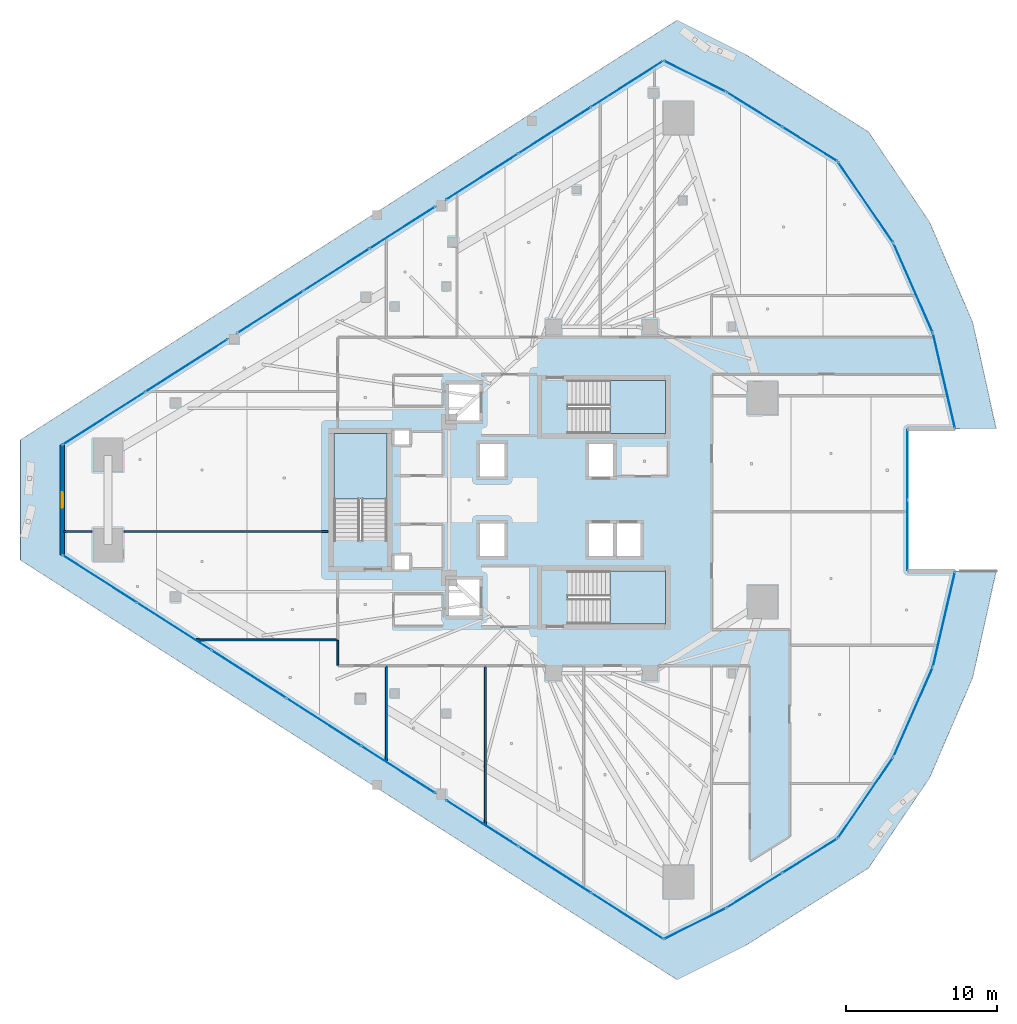
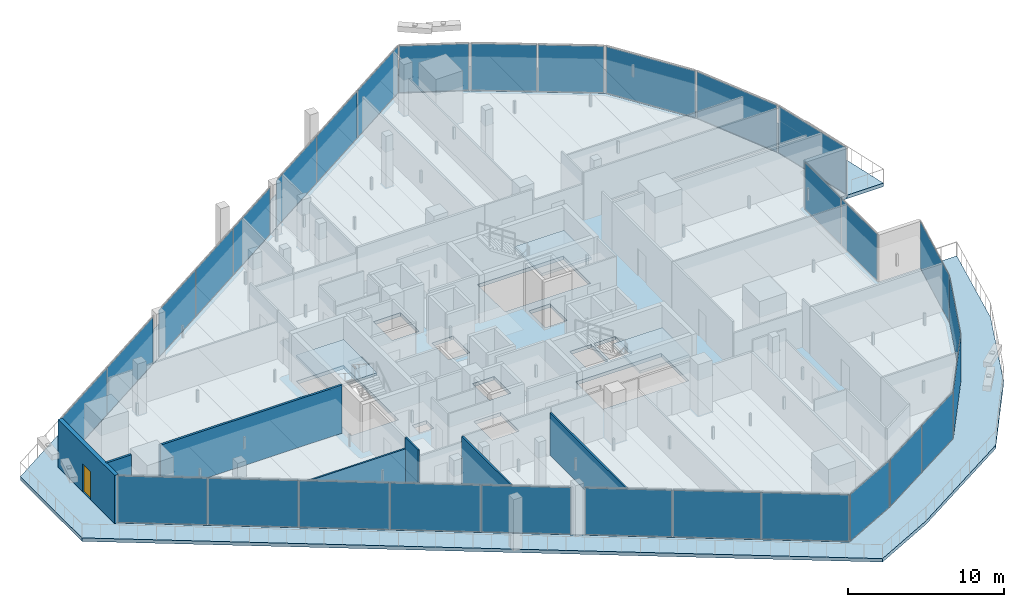
# One storey, part 22 of 35: 30 plates, 7 walls, 5 slabs, 1 door, 1 opening, 19 elements without a shape of their own.
"""IFC4 building model written with IfcOpenShell, lengths in metres."""

import ifcopenshell
import ifcopenshell.guid

model = None  # the IFC model being written
_history = None  # IfcOwnerHistory: only IFC2X3 demands one
_inside = {}  # id of a spatial element -> (the spatial element, [elements in it])
_under = {}  # id of a project, library or spatial element -> (it, [spatial elements below it])
_declared = {}  # id of a project -> (the project, [libraries it declares])
_typed = {}  # id of a type object -> (the type object, [elements of that type])
_made_of = {}  # id of a material, layer set ... -> (it, [elements and type objects made of it])


def new_model(schema):
    """Start an empty IFC model of exactly this schema.

    Asked for "IFC4X3", IfcOpenShell would pick the latest addendum, in which some entities
    have other attributes; the version numbers below select the first issue.
    IFC2X3 requires an IfcOwnerHistory on every rooted entity: one is made here for all.
    """
    global model, _history
    if schema == "IFC4X3":
        model = ifcopenshell.file(schema_version=(4, 3, 0, 0))
    else:
        model = ifcopenshell.file(schema=schema)
    _inside.clear()
    _under.clear()
    _declared.clear()
    _typed.clear()
    _made_of.clear()
    _history = None
    if model.schema == "IFC2X3":
        org = make("IfcOrganization", Name="unknown")
        user = make(
            "IfcPersonAndOrganization",
            ThePerson=make("IfcPerson", FamilyName="unknown"),
            TheOrganization=org,
        )
        app = make(
            "IfcApplication",
            ApplicationDeveloper=org,
            Version="unknown",
            ApplicationFullName="unknown",
            ApplicationIdentifier="unknown",
        )
        _history = make(
            "IfcOwnerHistory",
            OwningUser=user,
            OwningApplication=app,
            ChangeAction="ADDED",
            CreationDate=0,
        )
    return model


def make(cls, **values):
    """One entity of the class cls with the attributes given. An attribute that is None is left unset."""
    return model.create_entity(
        cls, **{name: value for name, value in values.items() if value is not None}
    )


def rooted(cls, **values):
    """An entity with a GlobalId (a new one), such as an element, a storey or a relation."""
    return make(cls, GlobalId=ifcopenshell.guid.new(), OwnerHistory=_history, **values)


def si_unit(unit_type, name, prefix=None):
    """IfcSIUnit, for example si_unit("LENGTHUNIT", "METRE", prefix="MILLI")."""
    return make("IfcSIUnit", UnitType=unit_type, Prefix=prefix, Name=name)


def assignment(units):
    """IfcUnitAssignment: the units of a project."""
    return None if units is None else make("IfcUnitAssignment", Units=units)


def point(xyz):
    """IfcCartesianPoint."""
    return None if xyz is None else make("IfcCartesianPoint", Coordinates=xyz)


def direction(xyz):
    """IfcDirection."""
    return None if xyz is None else make("IfcDirection", DirectionRatios=xyz)


def frame(location, z_axis=None, x_axis=None):
    """IfcAxis2Placement3D, a coordinate frame: its origin and axes. An axis left out is left unset."""
    return make(
        "IfcAxis2Placement3D",
        Location=point(location),
        Axis=direction(z_axis),
        RefDirection=direction(x_axis),
    )


def frame_2d(location, x_axis=None):
    """IfcAxis2Placement2D, a coordinate frame in the plane: its origin and x axis."""
    return make(
        "IfcAxis2Placement2D", Location=point(location), RefDirection=direction(x_axis)
    )


def origin():
    """The frame at (0, 0, 0) with its axes left unset."""
    return frame((0.0, 0.0, 0.0))


def origin_2d():
    """The frame at (0, 0) in the plane with its x axis left unset."""
    return frame_2d((0.0, 0.0))


def place(relative_to, where):
    """IfcLocalPlacement: puts the frame where relative to a parent placement (None: the world)."""
    return make(
        "IfcLocalPlacement", PlacementRelTo=relative_to, RelativePlacement=where
    )


def context(
    kind, dimensions, precision=None, world=None, true_north=None, identifier=None
):
    """IfcGeometricRepresentationContext, for example the 3D "Model" context."""
    return make(
        "IfcGeometricRepresentationContext",
        ContextIdentifier=identifier,
        ContextType=kind,
        CoordinateSpaceDimension=dimensions,
        Precision=precision,
        WorldCoordinateSystem=world,
        TrueNorth=true_north,
    )


def subcontext(parent, identifier, kind, view, scale=None):
    """IfcGeometricRepresentationSubContext, for example "Body" below "Model"."""
    return make(
        "IfcGeometricRepresentationSubContext",
        ContextIdentifier=identifier,
        ContextType=kind,
        ParentContext=parent,
        TargetScale=scale,
        TargetView=view,
    )


def project(units=None, contexts=None):
    """IfcProject with its units and contexts."""
    return rooted(
        "IfcProject",
        Name="project",
        RepresentationContexts=contexts,
        UnitsInContext=assignment(units),
    )


def spatial(cls, under=None, at=None, **own):
    """A site, building, storey or space (cls), placed at a placement, below another one or the project."""
    s = rooted(cls, ObjectPlacement=at, **own)
    if under is not None:
        _under.setdefault(under.id(), (under, []))[1].append(s)
    return s


def polyline(points):
    """IfcPolyline through the points."""
    return make("IfcPolyline", Points=[point(p) for p in points])


def profile(cls, at=None, kind="AREA", **sizes):
    """A parametric profile (cls). Its sizes go by their IFC names, for example OverallWidth=200.0."""
    return make(cls, ProfileType=kind, Position=at, **sizes)


def rectangle(**sizes):
    """IfcRectangleProfileDef."""
    return profile("IfcRectangleProfileDef", **sizes)


def outline(outer, holes=None, kind="AREA"):
    """IfcArbitraryClosedProfileDef: a profile drawn as a closed curve; with holes, ...WithVoids."""
    if holes is None:
        return make("IfcArbitraryClosedProfileDef", ProfileType=kind, OuterCurve=outer)
    return make(
        "IfcArbitraryProfileDefWithVoids",
        ProfileType=kind,
        OuterCurve=outer,
        InnerCurves=holes,
    )


def extrude(swept, where, along, depth):
    """IfcExtrudedAreaSolid: the profile swept, set in the frame where, extruded along a direction by depth."""
    return make(
        "IfcExtrudedAreaSolid",
        SweptArea=swept,
        Position=where,
        ExtrudedDirection=direction(along),
        Depth=depth,
    )


def shape(context_of_items, identifier, shape_type, items):
    """IfcShapeRepresentation: the items that make up one representation, for example the "Body"."""
    return make(
        "IfcShapeRepresentation",
        ContextOfItems=context_of_items,
        RepresentationIdentifier=identifier,
        RepresentationType=shape_type,
        Items=items,
    )


def material(Name=None, Category=None):
    """IfcMaterial."""
    return make("IfcMaterial", Name=Name, Category=Category)


def layer(
    of_material, thickness, ventilated=None, Name=None, Category=None, Priority=None
):
    """IfcMaterialLayer: one layer of a wall or slab, of a material (None: an air gap)."""
    return make(
        "IfcMaterialLayer",
        Material=of_material,
        LayerThickness=thickness,
        IsVentilated=ventilated,
        Name=Name,
        Category=Category,
        Priority=Priority,
    )


def layer_set(layers, Name=None):
    """IfcMaterialLayerSet."""
    return make("IfcMaterialLayerSet", MaterialLayers=layers, LayerSetName=Name)


def made_of(thing, what):
    """Note that an element or type object is made of a material, layer set ...; save() writes the relation."""
    if what is not None:
        _made_of.setdefault(what.id(), (what, []))[1].append(thing)
    return thing


def type_object(cls, material=None, **own):
    """A type object (cls), such as IfcWallType, which elements share."""
    return made_of(rooted(cls, **own), material)


def element(
    cls,
    number,
    at=None,
    inside=None,
    cuts=None,
    type_object=None,
    material=None,
    context=None,
    identifier="Body",
    shape_type=None,
    held_by="IfcProductDefinitionShape",
    body=None,
    shapes=None,
    **own,
):
    """One element of the class cls, such as IfcWall. Its Tag is "e" and its number.

    at: its placement. inside: the storey or other place that contains it. cuts: it is an
    opening in that element (IfcRelVoidsElement). A single representation is given by context,
    identifier, shape_type and body (its items); several are given by shapes. held_by: the class
    of the entity that holds the representations. save() writes the other relations.
    """
    e = rooted(cls, Tag="e%d" % number, ObjectPlacement=at, **own)
    if body is not None:
        shapes = [shape(context, identifier, shape_type, body)]
    if shapes is not None:
        e.Representation = make(held_by, Representations=shapes)
    if inside is not None:
        _inside.setdefault(inside.id(), (inside, []))[1].append(e)
    if cuts is not None:
        rooted(
            "IfcRelVoidsElement", RelatingBuildingElement=cuts, RelatedOpeningElement=e
        )
    if type_object is not None:
        _typed.setdefault(type_object.id(), (type_object, []))[1].append(e)
    return made_of(e, material)


def fill(opening, filler):
    """IfcRelFillsElement: the door or window that sits in an opening."""
    return rooted(
        "IfcRelFillsElement",
        RelatingOpeningElement=opening,
        RelatedBuildingElement=filler,
    )


def aggregate(whole, parts):
    """IfcRelAggregates: a whole, such as a stair, and the parts it consists of."""
    return rooted("IfcRelAggregates", RelatingObject=whole, RelatedObjects=parts)


def save(model, path):
    """Write the relations noted so far, then the file.

    IfcRelAggregates (storeys below a building ...), IfcRelContainedInSpatialStructure (elements
    in a storey), IfcRelDefinesByType, IfcRelAssociatesMaterial and IfcRelDeclares: one each for
    every whole, place, type object, material and project.
    """
    for whole, parts in _under.values():
        aggregate(whole, parts)
    for where, things in _inside.values():
        rooted(
            "IfcRelContainedInSpatialStructure",
            RelatedElements=things,
            RelatingStructure=where,
        )
    for kind, things in _typed.values():
        rooted("IfcRelDefinesByType", RelatedObjects=things, RelatingType=kind)
    for what, things in _made_of.values():
        rooted("IfcRelAssociatesMaterial", RelatedObjects=things, RelatingMaterial=what)
    for by, libraries in _declared.values():
        rooted("IfcRelDeclares", RelatingContext=by, RelatedDefinitions=libraries)
    model.write(path)


model = new_model("IFC4")

# Units and contexts
model_context = context("Model", 3, precision=1e-05, world=origin(), true_north=direction((0.0, 1.0)))
body_context = subcontext(model_context, "Body", "Model", "MODEL_VIEW")
ifc_project = project(units=[si_unit("LENGTHUNIT", "METRE"), si_unit("AREAUNIT", "SQUARE_METRE"), si_unit("VOLUMEUNIT", "CUBIC_METRE"), si_unit("PLANEANGLEUNIT", "RADIAN"), si_unit("MASSUNIT", "GRAM", prefix="KILO")], contexts=[model_context])

# Site, building, storey
site_placement = place(None, origin())
site = spatial("IfcSite", under=ifc_project, at=site_placement, CompositionType="ELEMENT")
building_placement = place(site_placement, origin())
building = spatial("IfcBuilding", under=site, at=building_placement, Name="Qorvath Tower", CompositionType="ELEMENT")
storey_placement = place(building_placement, frame((0.0, 0.0, 166.5)))
storey = spatial("IfcBuildingStorey", under=building, at=storey_placement, Name="L38", CompositionType="ELEMENT", Elevation=166.5)

# Curtain wall, plates
ifc_material_1 = material(Name="Anodised aluminium and triple low-E glass", Category="aluminium")
ifc_layer_1 = layer(ifc_material_1, 0.179931640625)
ifc_layer_set_1 = layer_set([ifc_layer_1], Name="CW-SYS-3")
curtain_wall_type = type_object("IfcCurtainWallType", Name="CW-SYS-3", PredefinedType="NOTDEFINED", material=ifc_layer_set_1)
curtain_wall_1_placement = place(storey_placement, origin())
curtain_wall_1 = element("IfcCurtainWall", 1, at=curtain_wall_1_placement, inside=storey, type_object=curtain_wall_type, Name="Curtain Wall CW-3 CW-T-L38-2.1", PredefinedType="NOTDEFINED")
ifc_material_2 = material(Name="Low-E triple insulated glass", Category="glass")
ifc_layer_2 = layer(ifc_material_2, 0.031982421875)
ifc_layer_set_2 = layer_set([ifc_layer_2], Name="CWP-GLZ-32")
plate_type = type_object("IfcPlateType", Name="CWP-GLZ-32", PredefinedType="CURTAIN_PANEL", material=ifc_layer_set_2)
plate_1_placement = place(storey_placement, frame((-53.597900390625, -5.2177734375, 0.06494140625), z_axis=(0.0, 0.0, 1.0), x_axis=(0.842606848992, -0.538529198867, 0.0)))
plate_1 = element("IfcPlate", 2, at=plate_1_placement, type_object=plate_type, Name="CW-3 panel 1.1", PredefinedType="CURTAIN_PANEL", context=body_context, shape_type="SweptSolid", body=[
    extrude(rectangle(XDim=5.76416015625, YDim=0.031982421875, at=origin_2d()), origin(), (0.0, 0.0, 1.0), 3.64990234375),
])
plate_2_placement = place(storey_placement, frame((-48.672607421875, -8.365478515625, 0.06494140625), z_axis=(0.0, 0.0, 1.0), x_axis=(0.842606848992, -0.538529198867, 0.0)))
plate_2 = element("IfcPlate", 3, at=plate_2_placement, type_object=plate_type, Name="CW-3 panel 2.1", PredefinedType="CURTAIN_PANEL", context=body_context, shape_type="SweptSolid", body=[
    extrude(rectangle(XDim=5.796630859375, YDim=0.031982421875, at=origin_2d()), origin(), (0.0, 0.0, 1.0), 3.64990234375),
])
plate_3_placement = place(storey_placement, frame((-43.733642578125, -11.522216796875, 0.06494140625), z_axis=(0.0, 0.0, 1.0), x_axis=(0.842606848992, -0.538529198867, 0.0)))
plate_3 = element("IfcPlate", 4, at=plate_3_placement, type_object=plate_type, Name="CW-3 panel 3.1", PredefinedType="CURTAIN_PANEL", context=body_context, shape_type="SweptSolid", body=[
    extrude(rectangle(XDim=5.796630859375, YDim=0.031982421875, at=origin_2d()), origin(), (0.0, 0.0, 1.0), 3.64990234375),
])
plate_4_placement = place(storey_placement, frame((-38.79443359375, -14.678955078125, 0.06494140625), z_axis=(0.0, 0.0, 1.0), x_axis=(0.842606848992, -0.538529198867, 0.0)))
plate_4 = element("IfcPlate", 5, at=plate_4_placement, type_object=plate_type, Name="CW-3 panel 4.1", PredefinedType="CURTAIN_PANEL", context=body_context, shape_type="SweptSolid", body=[
    extrude(rectangle(XDim=5.796630859375, YDim=0.031982421875, at=origin_2d()), origin(), (0.0, 0.0, 1.0), 3.64990234375),
])
plate_5_placement = place(storey_placement, frame((-33.869140625, -17.82666015625, 0.06494140625), z_axis=(0.0, 0.0, 1.0), x_axis=(0.842606848992, -0.538529198867, 0.0)))
plate_5 = element("IfcPlate", 6, at=plate_5_placement, type_object=plate_type, Name="CW-3 panel 5.1", PredefinedType="CURTAIN_PANEL", context=body_context, shape_type="SweptSolid", body=[
    extrude(rectangle(XDim=5.76416015625, YDim=0.031982421875, at=origin_2d()), origin(), (0.0, 0.0, 1.0), 3.64990234375),
])
aggregate(curtain_wall_1, [plate_1, plate_2, plate_3, plate_4, plate_5])

curtain_wall_2_placement = place(storey_placement, origin())
curtain_wall_2 = element("IfcCurtainWall", 7, at=curtain_wall_2_placement, inside=storey, type_object=curtain_wall_type, Name="Curtain Wall CW-3 CW-T-L38-2.2", PredefinedType="NOTDEFINED")
plate_6_placement = place(storey_placement, frame((-28.31787109375, -21.37451171875, 0.06494140625), z_axis=(0.0, 0.0, 1.0), x_axis=(0.842603503645, -0.53853443311, 0.0)))
plate_6 = element("IfcPlate", 8, at=plate_6_placement, type_object=plate_type, Name="CW-3 panel 1.1", PredefinedType="CURTAIN_PANEL", context=body_context, shape_type="SweptSolid", body=[
    extrude(rectangle(XDim=5.605224609375, YDim=0.031982421875, at=origin_2d()), origin(), (0.0, 0.0, 1.0), 3.64990234375),
])
plate_7_placement = place(storey_placement, frame((-23.5263671875, -24.43701171875, 0.06494140625), z_axis=(0.0, 0.0, 1.0), x_axis=(0.842603503645, -0.53853443311, 0.0)))
plate_7 = element("IfcPlate", 9, at=plate_7_placement, type_object=plate_type, Name="CW-3 panel 2.1", PredefinedType="CURTAIN_PANEL", context=body_context, shape_type="SweptSolid", body=[
    extrude(rectangle(XDim=5.6376953125, YDim=0.031982421875, at=origin_2d()), origin(), (0.0, 0.0, 1.0), 3.64990234375),
])
plate_8_placement = place(storey_placement, frame((-18.73486328125, -27.499267578125, 0.06494140625), z_axis=(0.0, 0.0, 1.0), x_axis=(0.842603503645, -0.53853443311, 0.0)))
plate_8 = element("IfcPlate", 10, at=plate_8_placement, type_object=plate_type, Name="CW-3 panel 3.1", PredefinedType="CURTAIN_PANEL", context=body_context, shape_type="SweptSolid", body=[
    extrude(rectangle(XDim=5.605224609375, YDim=0.031982421875, at=origin_2d()), origin(), (0.0, 0.0, 1.0), 3.64990234375),
])
aggregate(curtain_wall_2, [plate_6, plate_7, plate_8])

# Curtain wall, plate
curtain_wall_3_placement = place(storey_placement, origin())
curtain_wall_3 = element("IfcCurtainWall", 11, at=curtain_wall_3_placement, inside=storey, type_object=curtain_wall_type, Name="Curtain Wall CW-3 CW-T-L38-3.1", PredefinedType="NOTDEFINED")
plate_9_placement = place(storey_placement, frame((-14.244140625, -28.00634765625, 0.06494140625), z_axis=(0.0, 0.0, 1.0), x_axis=(0.894422879346, 0.447222218703, 0.0)))
plate_9 = element("IfcPlate", 12, at=plate_9_placement, type_object=plate_type, Name="CW-3 panel 1.1", PredefinedType="CURTAIN_PANEL", context=body_context, shape_type="SweptSolid", body=[
    extrude(rectangle(XDim=4.508544921875, YDim=0.031982421875, at=origin_2d()), origin(), (0.0, 0.0, 1.0), 3.64990234375),
])
aggregate(curtain_wall_3, [plate_9])

# Curtain wall, plates
curtain_wall_4_placement = place(storey_placement, origin())
curtain_wall_4 = element("IfcCurtainWall", 13, at=curtain_wall_4_placement, inside=storey, type_object=curtain_wall_type, Name="Curtain Wall CW-3 CW-T-L38-4.1", PredefinedType="NOTDEFINED")
plate_10_placement = place(storey_placement, frame((-10.313232421875, -25.81103515625, 0.06494140625), z_axis=(0.0, 0.0, 1.0), x_axis=(0.848417096178, 0.529328282744, 0.0)))
plate_10 = element("IfcPlate", 14, at=plate_10_placement, type_object=plate_type, Name="CW-3 panel 1.1", PredefinedType="CURTAIN_PANEL", context=body_context, shape_type="SweptSolid", body=[
    extrude(rectangle(XDim=4.24609375, YDim=0.031982421875, at=origin_2d()), origin(), (0.0, 0.0, 1.0), 3.64990234375),
])
plate_11_placement = place(storey_placement, frame((-6.65576171875, -23.529052734375, 0.06494140625), z_axis=(0.0, 0.0, 1.0), x_axis=(0.848417096178, 0.529328282744, 0.0)))
plate_11 = element("IfcPlate", 15, at=plate_11_placement, type_object=plate_type, Name="CW-3 panel 2.1", PredefinedType="CURTAIN_PANEL", context=body_context, shape_type="SweptSolid", body=[
    extrude(rectangle(XDim=4.24609375, YDim=0.031982421875, at=origin_2d()), origin(), (0.0, 0.0, 1.0), 3.64990234375),
])
aggregate(curtain_wall_4, [plate_10, plate_11])

# Curtain wall, plate
curtain_wall_5_placement = place(storey_placement, origin())
curtain_wall_5 = element("IfcCurtainWall", 16, at=curtain_wall_5_placement, inside=storey, type_object=curtain_wall_type, Name="Curtain Wall CW-3 CW-T-L38-5.1", PredefinedType="NOTDEFINED")
plate_12_placement = place(storey_placement, frame((-2.9638671875, -19.68603515625, 0.06494140625), z_axis=(0.0, 0.0, 1.0), x_axis=(0.564365862971, 0.82552478625, 0.0)))
plate_12 = element("IfcPlate", 17, at=plate_12_placement, type_object=plate_type, Name="CW-3 panel 1.1", PredefinedType="CURTAIN_PANEL", context=body_context, shape_type="SweptSolid", body=[
    extrude(rectangle(XDim=6.37451171875, YDim=0.031982421875, at=origin_2d()), origin(), (0.0, 0.0, 1.0), 3.64990234375),
])
aggregate(curtain_wall_5, [plate_12])

curtain_wall_6_placement = place(storey_placement, origin())
curtain_wall_6 = element("IfcCurtainWall", 18, at=curtain_wall_6_placement, inside=storey, type_object=curtain_wall_type, Name="Curtain Wall CW-3 CW-T-L38-6.1", PredefinedType="NOTDEFINED")
plate_13_placement = place(storey_placement, frame((0.17919921875, -14.023193359375, 0.06494140625), z_axis=(0.0, 0.0, 1.0), x_axis=(0.402023385597, 0.915629399612, 0.0)))
plate_13 = element("IfcPlate", 19, at=plate_13_placement, type_object=plate_type, Name="CW-3 panel 1.1", PredefinedType="CURTAIN_PANEL", context=body_context, shape_type="SweptSolid", body=[
    extrude(rectangle(XDim=6.37451171875, YDim=0.031982421875, at=origin_2d()), origin(), (0.0, 0.0, 1.0), 3.64990234375),
])
aggregate(curtain_wall_6, [plate_13])

curtain_wall_7_placement = place(storey_placement, origin())
curtain_wall_7 = element("IfcCurtainWall", 20, at=curtain_wall_7_placement, inside=storey, type_object=curtain_wall_type, Name="Curtain Wall CW-3 CW-T-L38-7.1", PredefinedType="NOTDEFINED")
plate_14_placement = place(storey_placement, frame((2.220947265625, -7.876953125, 0.06494140625), z_axis=(0.0, 0.0, 1.0), x_axis=(0.225791317315, 0.974175693099, 0.0)))
plate_14 = element("IfcPlate", 21, at=plate_14_placement, type_object=plate_type, Name="CW-3 panel 1.1", PredefinedType="CURTAIN_PANEL", context=body_context, shape_type="SweptSolid", body=[
    extrude(rectangle(XDim=6.374755859375, YDim=0.031982421875, at=origin_2d()), origin(), (0.0, 0.0, 1.0), 3.64990234375),
])
aggregate(curtain_wall_7, [plate_14])

# Curtain wall, plates
curtain_wall_8_placement = place(storey_placement, origin())
curtain_wall_8 = element("IfcCurtainWall", 22, at=curtain_wall_8_placement, inside=storey, type_object=curtain_wall_type, Name="Curtain Wall CW-3 CW-T-L38-9.1", PredefinedType="NOTDEFINED")
plate_15_placement = place(storey_placement, frame((-0.183837890625, -2.338134765625, 0.06494140625), z_axis=(0.0, 0.0, 1.0), x_axis=(0.0, 1.0, 0.0)))
plate_15 = element("IfcPlate", 23, at=plate_15_placement, type_object=plate_type, Name="CW-3 panel 1.1", PredefinedType="CURTAIN_PANEL", context=body_context, shape_type="SweptSolid", body=[
    extrude(rectangle(XDim=4.611083984375, YDim=0.031982421875, at=origin_2d()), origin(), (0.0, 0.0, 1.0), 3.64990234375),
])
plate_16_placement = place(storey_placement, frame((-0.183837890625, 2.338134765625, 0.06494140625), z_axis=(0.0, 0.0, 1.0), x_axis=(0.0, 1.0, 0.0)))
plate_16 = element("IfcPlate", 24, at=plate_16_placement, type_object=plate_type, Name="CW-3 panel 2.1", PredefinedType="CURTAIN_PANEL", context=body_context, shape_type="SweptSolid", body=[
    extrude(rectangle(XDim=4.611083984375, YDim=0.031982421875, at=origin_2d()), origin(), (0.0, 0.0, 1.0), 3.64990234375),
])
aggregate(curtain_wall_8, [plate_15, plate_16])

# Curtain wall, plate
curtain_wall_9_placement = place(storey_placement, origin())
curtain_wall_9 = element("IfcCurtainWall", 25, at=curtain_wall_9_placement, inside=storey, type_object=curtain_wall_type, Name="Curtain Wall CW-3 CW-T-L38-11.1", PredefinedType="NOTDEFINED")
plate_17_placement = place(storey_placement, frame((2.220947265625, 7.876953125, 0.06494140625), z_axis=(0.0, 0.0, 1.0), x_axis=(-0.225791317315, 0.974175693099, 0.0)))
plate_17 = element("IfcPlate", 26, at=plate_17_placement, type_object=plate_type, Name="CW-3 panel 1.1", PredefinedType="CURTAIN_PANEL", context=body_context, shape_type="SweptSolid", body=[
    extrude(rectangle(XDim=6.374755859375, YDim=0.031982421875, at=origin_2d()), origin(), (0.0, 0.0, 1.0), 3.64990234375),
])
aggregate(curtain_wall_9, [plate_17])

curtain_wall_10_placement = place(storey_placement, origin())
curtain_wall_10 = element("IfcCurtainWall", 27, at=curtain_wall_10_placement, inside=storey, type_object=curtain_wall_type, Name="Curtain Wall CW-3 CW-T-L38-12.1", PredefinedType="NOTDEFINED")
plate_18_placement = place(storey_placement, frame((0.17919921875, 14.023193359375, 0.06494140625), z_axis=(0.0, 0.0, 1.0), x_axis=(-0.402023385597, 0.915629399612, 0.0)))
plate_18 = element("IfcPlate", 28, at=plate_18_placement, type_object=plate_type, Name="CW-3 panel 1.1", PredefinedType="CURTAIN_PANEL", context=body_context, shape_type="SweptSolid", body=[
    extrude(rectangle(XDim=6.37451171875, YDim=0.031982421875, at=origin_2d()), origin(), (0.0, 0.0, 1.0), 3.64990234375),
])
aggregate(curtain_wall_10, [plate_18])

curtain_wall_11_placement = place(storey_placement, origin())
curtain_wall_11 = element("IfcCurtainWall", 29, at=curtain_wall_11_placement, inside=storey, type_object=curtain_wall_type, Name="Curtain Wall CW-3 CW-T-L38-13.1", PredefinedType="NOTDEFINED")
plate_19_placement = place(storey_placement, frame((-2.9638671875, 19.68603515625, 0.06494140625), z_axis=(0.0, 0.0, 1.0), x_axis=(-0.564365862971, 0.82552478625, 0.0)))
plate_19 = element("IfcPlate", 30, at=plate_19_placement, type_object=plate_type, Name="CW-3 panel 1.1", PredefinedType="CURTAIN_PANEL", context=body_context, shape_type="SweptSolid", body=[
    extrude(rectangle(XDim=6.37451171875, YDim=0.031982421875, at=origin_2d()), origin(), (0.0, 0.0, 1.0), 3.64990234375),
])
aggregate(curtain_wall_11, [plate_19])

# Curtain wall, plates
curtain_wall_12_placement = place(storey_placement, origin())
curtain_wall_12 = element("IfcCurtainWall", 31, at=curtain_wall_12_placement, inside=storey, type_object=curtain_wall_type, Name="Curtain Wall CW-3 CW-T-L38-14.1", PredefinedType="NOTDEFINED")
plate_20_placement = place(storey_placement, frame((-6.65576171875, 23.529052734375, 0.06494140625), z_axis=(0.0, 0.0, 1.0), x_axis=(-0.848417096178, 0.529328282744, 0.0)))
plate_20 = element("IfcPlate", 32, at=plate_20_placement, type_object=plate_type, Name="CW-3 panel 1.1", PredefinedType="CURTAIN_PANEL", context=body_context, shape_type="SweptSolid", body=[
    extrude(rectangle(XDim=4.24609375, YDim=0.031982421875, at=origin_2d()), origin(), (0.0, 0.0, 1.0), 3.64990234375),
])
plate_21_placement = place(storey_placement, frame((-10.313232421875, 25.81103515625, 0.06494140625), z_axis=(0.0, 0.0, 1.0), x_axis=(-0.848417096178, 0.529328282744, 0.0)))
plate_21 = element("IfcPlate", 33, at=plate_21_placement, type_object=plate_type, Name="CW-3 panel 2.1", PredefinedType="CURTAIN_PANEL", context=body_context, shape_type="SweptSolid", body=[
    extrude(rectangle(XDim=4.24609375, YDim=0.031982421875, at=origin_2d()), origin(), (0.0, 0.0, 1.0), 3.64990234375),
])
aggregate(curtain_wall_12, [plate_20, plate_21])

# Curtain wall, plate
curtain_wall_13_placement = place(storey_placement, origin())
curtain_wall_13 = element("IfcCurtainWall", 34, at=curtain_wall_13_placement, inside=storey, type_object=curtain_wall_type, Name="Curtain Wall CW-3 CW-T-L38-15.1", PredefinedType="NOTDEFINED")
plate_22_placement = place(storey_placement, frame((-14.244140625, 28.00634765625, 0.06494140625), z_axis=(0.0, 0.0, 1.0), x_axis=(-0.894422879346, 0.447222218703, 0.0)))
plate_22 = element("IfcPlate", 35, at=plate_22_placement, type_object=plate_type, Name="CW-3 panel 1.1", PredefinedType="CURTAIN_PANEL", context=body_context, shape_type="SweptSolid", body=[
    extrude(rectangle(XDim=4.508544921875, YDim=0.031982421875, at=origin_2d()), origin(), (0.0, 0.0, 1.0), 3.64990234375),
])
aggregate(curtain_wall_13, [plate_22])

# Curtain wall, plates
curtain_wall_14_placement = place(storey_placement, origin())
curtain_wall_14 = element("IfcCurtainWall", 36, at=curtain_wall_14_placement, inside=storey, type_object=curtain_wall_type, Name="Curtain Wall CW-3 CW-T-L38-16.1", PredefinedType="NOTDEFINED")
plate_23_placement = place(storey_placement, frame((-18.73486328125, 27.499267578125, 0.06494140625), z_axis=(0.0, 0.0, 1.0), x_axis=(-0.842603503645, -0.53853443311, 0.0)))
plate_23 = element("IfcPlate", 37, at=plate_23_placement, type_object=plate_type, Name="CW-3 panel 1.1", PredefinedType="CURTAIN_PANEL", context=body_context, shape_type="SweptSolid", body=[
    extrude(rectangle(XDim=5.605224609375, YDim=0.031982421875, at=origin_2d()), origin(), (0.0, 0.0, 1.0), 3.64990234375),
])
plate_24_placement = place(storey_placement, frame((-23.5263671875, 24.43701171875, 0.06494140625), z_axis=(0.0, 0.0, 1.0), x_axis=(-0.842603503645, -0.53853443311, 0.0)))
plate_24 = element("IfcPlate", 38, at=plate_24_placement, type_object=plate_type, Name="CW-3 panel 2.1", PredefinedType="CURTAIN_PANEL", context=body_context, shape_type="SweptSolid", body=[
    extrude(rectangle(XDim=5.6376953125, YDim=0.031982421875, at=origin_2d()), origin(), (0.0, 0.0, 1.0), 3.64990234375),
])
plate_25_placement = place(storey_placement, frame((-28.31787109375, 21.37451171875, 0.06494140625), z_axis=(0.0, 0.0, 1.0), x_axis=(-0.842603503645, -0.53853443311, 0.0)))
plate_25 = element("IfcPlate", 39, at=plate_25_placement, type_object=plate_type, Name="CW-3 panel 3.1", PredefinedType="CURTAIN_PANEL", context=body_context, shape_type="SweptSolid", body=[
    extrude(rectangle(XDim=5.605224609375, YDim=0.031982421875, at=origin_2d()), origin(), (0.0, 0.0, 1.0), 3.64990234375),
])
aggregate(curtain_wall_14, [plate_23, plate_24, plate_25])

curtain_wall_15_placement = place(storey_placement, origin())
curtain_wall_15 = element("IfcCurtainWall", 40, at=curtain_wall_15_placement, inside=storey, type_object=curtain_wall_type, Name="Curtain Wall CW-3 CW-T-L38-16.2", PredefinedType="NOTDEFINED")
plate_26_placement = place(storey_placement, frame((-33.587890625, 18.00634765625, 0.06494140625), z_axis=(0.0, 0.0, 1.0), x_axis=(-0.842601780156, -0.538537129711, 0.0)))
plate_26 = element("IfcPlate", 41, at=plate_26_placement, type_object=plate_type, Name="CW-3 panel 1.1", PredefinedType="CURTAIN_PANEL", context=body_context, shape_type="SweptSolid", body=[
    extrude(rectangle(XDim=5.0966796875, YDim=0.031982421875, at=origin_2d()), origin(), (0.0, 0.0, 1.0), 3.64990234375),
])
plate_27_placement = place(storey_placement, frame((-37.95068359375, 15.218017578125, 0.06494140625), z_axis=(0.0, 0.0, 1.0), x_axis=(-0.842601780156, -0.538537129711, 0.0)))
plate_27 = element("IfcPlate", 42, at=plate_27_placement, type_object=plate_type, Name="CW-3 panel 2.1", PredefinedType="CURTAIN_PANEL", context=body_context, shape_type="SweptSolid", body=[
    extrude(rectangle(XDim=5.129150390625, YDim=0.031982421875, at=origin_2d()), origin(), (0.0, 0.0, 1.0), 3.64990234375),
])
plate_28_placement = place(storey_placement, frame((-42.313720703125, 12.429443359375, 0.06494140625), z_axis=(0.0, 0.0, 1.0), x_axis=(-0.842601780156, -0.538537129711, 0.0)))
plate_28 = element("IfcPlate", 43, at=plate_28_placement, type_object=plate_type, Name="CW-3 panel 3.1", PredefinedType="CURTAIN_PANEL", context=body_context, shape_type="SweptSolid", body=[
    extrude(rectangle(XDim=5.0966796875, YDim=0.031982421875, at=origin_2d()), origin(), (0.0, 0.0, 1.0), 3.64990234375),
])
aggregate(curtain_wall_15, [plate_26, plate_27, plate_28])

curtain_wall_16_placement = place(storey_placement, origin())
curtain_wall_16 = element("IfcCurtainWall", 44, at=curtain_wall_16_placement, inside=storey, type_object=curtain_wall_type, Name="Curtain Wall CW-3 CW-T-L38-16.3", PredefinedType="NOTDEFINED")
plate_29_placement = place(storey_placement, frame((-47.863525390625, 8.882568359375, 0.06494140625), z_axis=(0.0, 0.0, 1.0), x_axis=(-0.842610617449, -0.538523302525, 0.0)))
plate_29 = element("IfcPlate", 45, at=plate_29_placement, type_object=plate_type, Name="CW-3 panel 1.1", PredefinedType="CURTAIN_PANEL", context=body_context, shape_type="SweptSolid", body=[
    extrude(rectangle(XDim=6.4150390625, YDim=0.031982421875, at=origin_2d()), origin(), (0.0, 0.0, 1.0), 3.64990234375),
])
plate_30_placement = place(storey_placement, frame((-53.32373046875, 5.392822265625, 0.06494140625), z_axis=(0.0, 0.0, 1.0), x_axis=(-0.842610617449, -0.538523302525, 0.0)))
plate_30 = element("IfcPlate", 46, at=plate_30_placement, type_object=plate_type, Name="CW-3 panel 2.1", PredefinedType="CURTAIN_PANEL", context=body_context, shape_type="SweptSolid", body=[
    extrude(rectangle(XDim=6.4150390625, YDim=0.031982421875, at=origin_2d()), origin(), (0.0, 0.0, 1.0), 3.64990234375),
])
aggregate(curtain_wall_16, [plate_29, plate_30])

# Stair, slab
ifc_material_3 = material(Name="Concrete C50/60", Category="concrete")
stair_type = type_object("IfcStairType", Name="ST-H405", PredefinedType="HALF_TURN_STAIR", material=ifc_material_3)
stair_1_placement = place(storey_placement, origin())
stair_1 = element("IfcStair", 47, at=stair_1_placement, inside=storey, type_object=stair_type, Name="L38 Tower Exit Stair 1", PredefinedType="HALF_TURN_STAIR")
ifc_material_4 = material(Name="Concrete C50/60", Category="concrete")
ifc_layer_3 = layer(ifc_material_4, 0.199951171875)
ifc_layer_set_3 = layer_set([ifc_layer_3], Name="SL-LND-200")
slab_type_1 = type_object("IfcSlabType", Name="SL-LND-200", PredefinedType="LANDING", material=ifc_layer_set_3)
slab_1_placement = place(storey_placement, frame((0.0, 0.0, 1.824951171875)))
slab_1 = element("IfcSlab", 48, at=slab_1_placement, type_object=slab_type_1, Name="TS1 landing 1", PredefinedType="LANDING", context=body_context, shape_type="SweptSolid", body=[
    extrude(outline(polyline([(-19.8701171875, 4.39990234375), (-16.199951171875, 4.39990234375), (-16.199951171875, 7.909912109375), (-19.8701171875, 7.909912109375), (-19.8701171875, 4.39990234375)])), origin(), (0.0, 0.0, 1.0), 0.199951171875),
])
aggregate(stair_1, [slab_1])

stair_2_placement = place(storey_placement, origin())
stair_2 = element("IfcStair", 49, at=stair_2_placement, inside=storey, type_object=stair_type, Name="L38 Tower Exit Stair 2", PredefinedType="HALF_TURN_STAIR")
slab_2_placement = place(storey_placement, frame((0.0, 0.0, 1.824951171875)))
slab_2 = element("IfcSlab", 50, at=slab_2_placement, type_object=slab_type_1, Name="TS2 landing 1", PredefinedType="LANDING", context=body_context, shape_type="SweptSolid", body=[
    extrude(outline(polyline([(-19.8701171875, -8.199951171875), (-16.199951171875, -8.199951171875), (-16.199951171875, -4.68994140625), (-19.8701171875, -4.68994140625), (-19.8701171875, -8.199951171875)])), origin(), (0.0, 0.0, 1.0), 0.199951171875),
])
aggregate(stair_2, [slab_2])

stair_3_placement = place(storey_placement, origin())
stair_3 = element("IfcStair", 51, at=stair_3_placement, inside=storey, type_object=stair_type, Name="L38 Tower Exit Stair 3", PredefinedType="HALF_TURN_STAIR")
slab_3_placement = place(storey_placement, frame((0.0, 0.0, 1.824951171875)))
slab_3 = element("IfcSlab", 52, at=slab_3_placement, type_object=slab_type_1, Name="TS3 landing 1", PredefinedType="LANDING", context=body_context, shape_type="SweptSolid", body=[
    extrude(outline(polyline([(-34.60009765625, 0.080078125), (-34.60009765625, 4.39990234375), (-38.110107421875, 4.39990234375), (-38.110107421875, 0.080078125), (-34.60009765625, 0.080078125)])), origin(), (0.0, 0.0, 1.0), 0.199951171875),
])
aggregate(stair_3, [slab_3])

# Slabs
ifc_material_5 = material(Name="Precast concrete C45/55", Category="concrete")
ifc_layer_4 = layer(ifc_material_5, 0.27001953125)
ifc_layer_set_4 = layer_set([ifc_layer_4], Name="SL-LOG-270")
slab_type_2 = type_object("IfcSlabType", Name="SL-LOG-270", PredefinedType="FLOOR", material=ifc_layer_set_4)
slab_4_placement = place(storey_placement, frame((0.0, 0.0, -0.27001953125)))
element("IfcSlab", 53, at=slab_4_placement, inside=storey, type_object=slab_type_2, Name="Tower L38 Perimeter Loggia and Terrace Slab", PredefinedType="FLOOR", context=body_context, shape_type="SweptSolid", body=[
    extrude(outline(polyline([(2.955322265625, -4.708740234375), (1.486572265625, -11.04541015625), (-1.12841796875, -17.001220703125), (-4.79931640625, -22.370849609375), (-12.169677734375, -26.96923828125), (-16.318603515625, -29.043701171875), (-56.0810546875, -3.630615234375), (-56.0810546875, 3.630615234375), (-16.318603515625, 29.043701171875), (-12.169677734375, 26.96923828125), (-4.79931640625, 22.370849609375), (-1.12841796875, 17.001220703125), (1.486572265625, 11.04541015625), (2.955322265625, 4.708740234375), (5.671630859375, 4.708740234375), (4.113525390625, 11.7490234375), (1.26171875, 18.371826171875), (-2.781982421875, 24.341796875), (-10.89892578125, 29.447021484375), (-15.42919921875, 31.712158203125), (-58.844482421875, 3.964111328125), (-58.844482421875, -3.964111328125), (-15.42919921875, -31.712158203125), (-10.89892578125, -29.447021484375), (-2.781982421875, -24.341796875), (1.26171875, -18.371826171875), (4.113525390625, -11.7490234375), (5.671630859375, -4.708740234375), (2.955322265625, -4.708740234375)])), origin(), (0.0, 0.0, 1.0), 0.27001953125),
])
ifc_material_6 = material(Name="Concrete C45/55", Category="concrete")
ifc_layer_5 = layer(ifc_material_6, 0.27001953125)
ifc_layer_set_5 = layer_set([ifc_layer_5], Name="SL-MID-270")
slab_type_3 = type_object("IfcSlabType", Name="SL-MID-270", PredefinedType="FLOOR", material=ifc_layer_set_5)
slab_5_placement = place(storey_placement, frame((0.0, 0.0, -0.27001953125)))
element("IfcSlab", 54, at=slab_5_placement, inside=storey, type_object=slab_type_3, Name="Tower L38 Interior Floor Slab", PredefinedType="FLOOR", context=body_context, shape_type="SweptSolid", body=[
    extrude(outline(polyline([(-56.0810546875, 3.630615234375), (-56.0810546875, -3.630615234375), (-16.318603515625, -29.043701171875), (-12.169677734375, -26.96923828125), (-4.79931640625, -22.370849609375), (-1.12841796875, -17.001220703125), (1.486572265625, -11.04541015625), (2.955322265625, -4.708740234375), (-0.183837890625, -4.708740234375), (-0.183837890625, 4.708740234375), (2.955322265625, 4.708740234375), (1.486572265625, 11.04541015625), (-1.12841796875, 17.001220703125), (-4.79931640625, 22.370849609375), (-12.169677734375, 26.96923828125), (-16.318603515625, 29.043701171875), (-56.0810546875, 3.630615234375)]), holes=[polyline([(-16.2451171875, -8.199951171875), (-22.625, -8.199951171875), (-22.625, -4.68994140625), (-16.2451171875, -4.68994140625), (-16.2451171875, -8.199951171875)]), polyline([(-22.625, 4.39990234375), (-22.625, 7.909912109375), (-16.2451171875, 7.909912109375), (-16.2451171875, 4.39990234375), (-22.625, 4.39990234375)]), polyline([(-17.85009765625, -3.699951171875), (-19.449951171875, -3.699951171875), (-19.449951171875, -1.550048828125), (-17.85009765625, -1.550048828125), (-17.85009765625, -3.699951171875)]), polyline([(-21.25, -3.699951171875), (-21.25, -1.550048828125), (-19.64990234375, -1.550048828125), (-19.64990234375, -3.699951171875), (-21.25, -3.699951171875)]), polyline([(-21.25, 1.550048828125), (-21.25, 3.699951171875), (-19.64990234375, 3.699951171875), (-19.64990234375, 1.550048828125), (-21.25, 1.550048828125)]), polyline([(-28.449951171875, -3.699951171875), (-28.449951171875, -1.550048828125), (-26.85009765625, -1.550048828125), (-26.85009765625, -3.699951171875), (-28.449951171875, -3.699951171875)]), polyline([(-26.85009765625, 1.550048828125), (-28.449951171875, 1.550048828125), (-28.449951171875, 3.699951171875), (-26.85009765625, 3.699951171875), (-26.85009765625, 1.550048828125)]), polyline([(-28.5, -7.64990234375), (-30.5, -7.64990234375), (-30.5, -5.25), (-28.5, -5.25), (-28.5, -7.64990234375)]), polyline([(-30.5, 5.25), (-30.5, 7.64990234375), (-28.5, 7.64990234375), (-28.5, 5.25), (-30.5, 5.25)]), polyline([(-34.14990234375, -4.6201171875), (-34.14990234375, -3.64990234375), (-33.10009765625, -3.64990234375), (-33.10009765625, -4.6201171875), (-34.14990234375, -4.6201171875)]), polyline([(-34.14990234375, 3.64990234375), (-34.14990234375, 4.6201171875), (-33.10009765625, 4.6201171875), (-33.10009765625, 3.64990234375), (-34.14990234375, 3.64990234375)]), polyline([(-34.60009765625, -2.675048828125), (-38.110107421875, -2.675048828125), (-38.110107421875, 4.35498046875), (-34.60009765625, 4.35498046875), (-34.60009765625, -2.675048828125)])]), origin(), (0.0, 0.0, 1.0), 0.27001953125),
])

# Walls
ifc_material_7 = material(Name="Double acoustic gypsum board on steel studs", Category="steel")
ifc_layer_6 = layer(ifc_material_7, 0.159912109375)
ifc_layer_set_6 = layer_set([ifc_layer_6], Name="IW-ACOUSTIC-160")
wall_type_1 = type_object("IfcWallType", Name="IW-ACOUSTIC-160", PredefinedType="PARTITIONING", material=ifc_layer_set_6)
wall_1_placement = place(storey_placement, frame((-38.492919921875, -2.080078125, 0.0), z_axis=(0.0, 0.0, 1.0), x_axis=(-1.0, 0.0, 0.0)))
element("IfcWall", 55, at=wall_1_placement, inside=storey, type_object=wall_type_1, Name="Interior Partition IW-T1-L38-065", PredefinedType="PARTITIONING", context=body_context, shape_type="SweptSolid", body=[
    extrude(rectangle(XDim=13.491455078125, YDim=0.159912109375, at=frame_2d((6.74560546875, 0.0))), origin(), (0.0, 0.0, 1.0), 3.780029296875),
])
wall_2_placement = place(storey_placement, frame((-54.114501953125, -2.080078125, 0.0), z_axis=(0.0, 0.0, 1.0), x_axis=(-1.0, 0.0, 0.0)))
element("IfcWall", 56, at=wall_2_placement, inside=storey, type_object=wall_type_1, Name="Interior Partition IW-T1-L38-066", PredefinedType="PARTITIONING", context=body_context, shape_type="SweptSolid", body=[
    extrude(rectangle(XDim=1.88671875, YDim=0.159912109375, at=frame_2d((0.943359375, 0.0))), origin(), (0.0, 0.0, 1.0), 3.780029296875),
])
ifc_material_8 = material(Name="Gypsum board on metal studs with mineral wool", Category="gypsum")
ifc_layer_7 = layer(ifc_material_8, 0.125)
ifc_layer_set_7 = layer_set([ifc_layer_7], Name="IW-PART-125")
wall_type_2 = type_object("IfcWallType", Name="IW-PART-125", PredefinedType="PARTITIONING", material=ifc_layer_set_7)
wall_3_placement = place(storey_placement, frame((-28.101806640625, -21.432861328125, 0.0), z_axis=(0.0, 0.0, 1.0), x_axis=(0.0, 1.0, 0.0)))
element("IfcWall", 57, at=wall_3_placement, inside=storey, type_object=wall_type_2, Name="Interior Partition IW-T1-L38-033", PredefinedType="PARTITIONING", context=body_context, shape_type="SweptSolid", body=[
    extrude(rectangle(XDim=10.449951171875, YDim=0.125, at=frame_2d((5.22509765625, 0.0))), origin(), (0.0, 0.0, 1.0), 3.34375),
])
wall_4_placement = place(storey_placement, frame((-34.64990234375, -10.98291015625, 0.0), z_axis=(0.0, 0.0, 1.0), x_axis=(0.0, -1.0, 0.0)))
element("IfcWall", 58, at=wall_4_placement, inside=storey, type_object=wall_type_2, Name="Interior Partition IW-T1-L38-035", PredefinedType="PARTITIONING", context=body_context, shape_type="SweptSolid", body=[
    extrude(rectangle(XDim=6.264892578125, YDim=0.125, at=frame_2d((3.13232421875, 0.0))), origin(), (0.0, 0.0, 1.0), 3.780029296875),
])
wall_5_placement = place(storey_placement, frame((-37.85791015625, -10.93310546875, 0.0), z_axis=(0.0, 0.0, 1.0), x_axis=(0.0, 1.0, 0.0)))
element("IfcWall", 59, at=wall_5_placement, inside=storey, type_object=wall_type_2, Name="Interior Partition IW-T1-L38-062", PredefinedType="PARTITIONING", context=body_context, shape_type="SweptSolid", body=[
    extrude(rectangle(XDim=1.65771484375, YDim=0.125, at=frame_2d((0.828857421875, 0.0))), origin(), (0.0, 0.0, 1.0), 3.780029296875),
])
wall_6_placement = place(storey_placement, frame((-37.8828125, -9.25048828125, 0.0), z_axis=(0.0, 0.0, 1.0), x_axis=(-1.0, 0.0, 0.0)))
element("IfcWall", 60, at=wall_6_placement, inside=storey, type_object=wall_type_2, Name="Interior Partition IW-T1-L38-063", PredefinedType="PARTITIONING", context=body_context, shape_type="SweptSolid", body=[
    extrude(rectangle(XDim=9.324951171875, YDim=0.125, at=frame_2d((4.66259765625, 0.0))), origin(), (0.0, 0.0, 1.0), 2.89990234375),
])

# Wall, opening, door
ifc_material_9 = material(Name="Precast concrete C45/55", Category="concrete")
ifc_layer_8 = layer(ifc_material_9, 0.300048828125)
ifc_layer_set_8 = layer_set([ifc_layer_8], Name="WL-EW-LOG-300")
wall_type_3 = type_object("IfcWallType", Name="WL-EW-LOG-300", PredefinedType="SOLIDWALL", material=ifc_layer_set_8)
wall_7_placement = place(storey_placement, frame((-56.0810546875, -3.630615234375, 0.0), z_axis=(0.0, 0.0, 1.0), x_axis=(0.0, 1.0, 0.0)))
wall_7 = element("IfcWall", 61, at=wall_7_placement, inside=storey, type_object=wall_type_3, Name="Tower Precast Loggia Wall L38-1.1", PredefinedType="SOLIDWALL", context=body_context, shape_type="SweptSolid", body=[
    extrude(rectangle(XDim=7.26123046875, YDim=0.300048828125, at=frame_2d((3.630615234375, 0.0))), origin(), (0.0, 0.0, 1.0), 3.780029296875),
])
opening_placement = place(wall_7_placement, frame((3.105712890625, 0.0, 0.0)))
opening = element("IfcOpeningElement", 62, at=opening_placement, cuts=wall_7, Name="Opening ED-L38-01", PredefinedType="OPENING", context=body_context, shape_type="SweptSolid", body=[
    extrude(rectangle(XDim=1.050048828125, YDim=2.199951171875, at=frame_2d((0.52490234375, 1.10009765625))), frame((0.0, 0.16015625, 0.0), z_axis=(0.0, -1.0, 0.0), x_axis=(1.0, 0.0, 0.0)), (0.0, 0.0, 1.0), 0.320068359375),
])
ifc_material_10 = material(Name="Thermally broken aluminium glazed door", Category="aluminium")
door_type = type_object("IfcDoorType", Name="ED-LOG", OperationType="NOTDEFINED", PredefinedType="DOOR", material=ifc_material_10)
door_placement = place(opening_placement, origin())
door = element("IfcDoor", 63, at=door_placement, inside=storey, type_object=door_type, Name="L38 Recessed Loggia Access Door 1", OperationType="SINGLE_SWING_RIGHT", OverallHeight=2.199951171875, OverallWidth=1.050048828125, PredefinedType="DOOR", context=body_context, shape_type="SweptSolid", body=[
    extrude(rectangle(XDim=1.050048828125, YDim=2.199951171875, at=frame_2d((0.52490234375, 1.10009765625))), frame((0.0, 0.02490234375, 0.0), z_axis=(0.0, -1.0, 0.0), x_axis=(1.0, 0.0, 0.0)), (0.0, 0.0, 1.0), 0.050048828125),
])
fill(opening, door)

save(model, "model.ifc")
